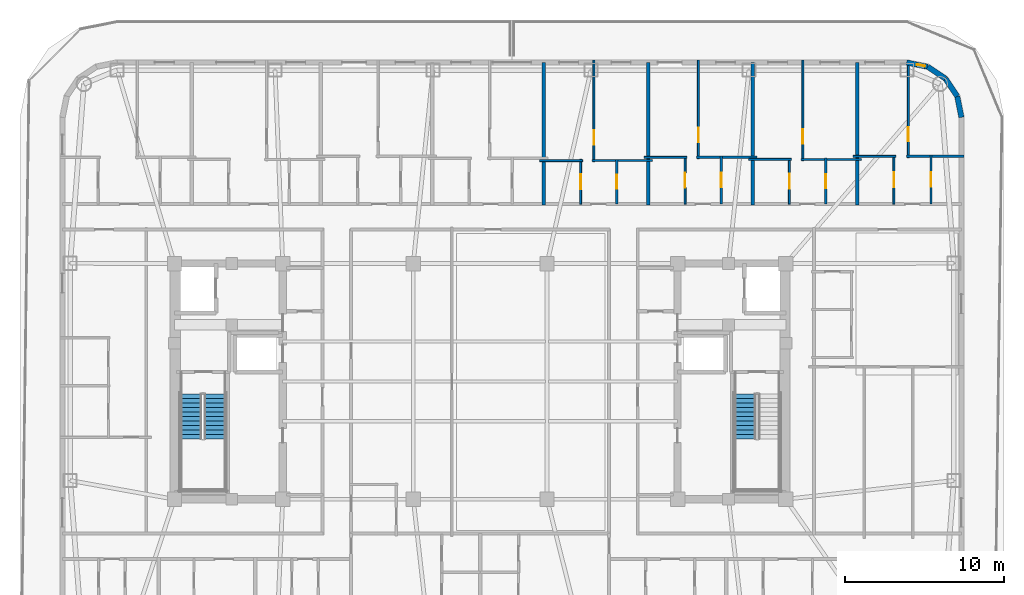
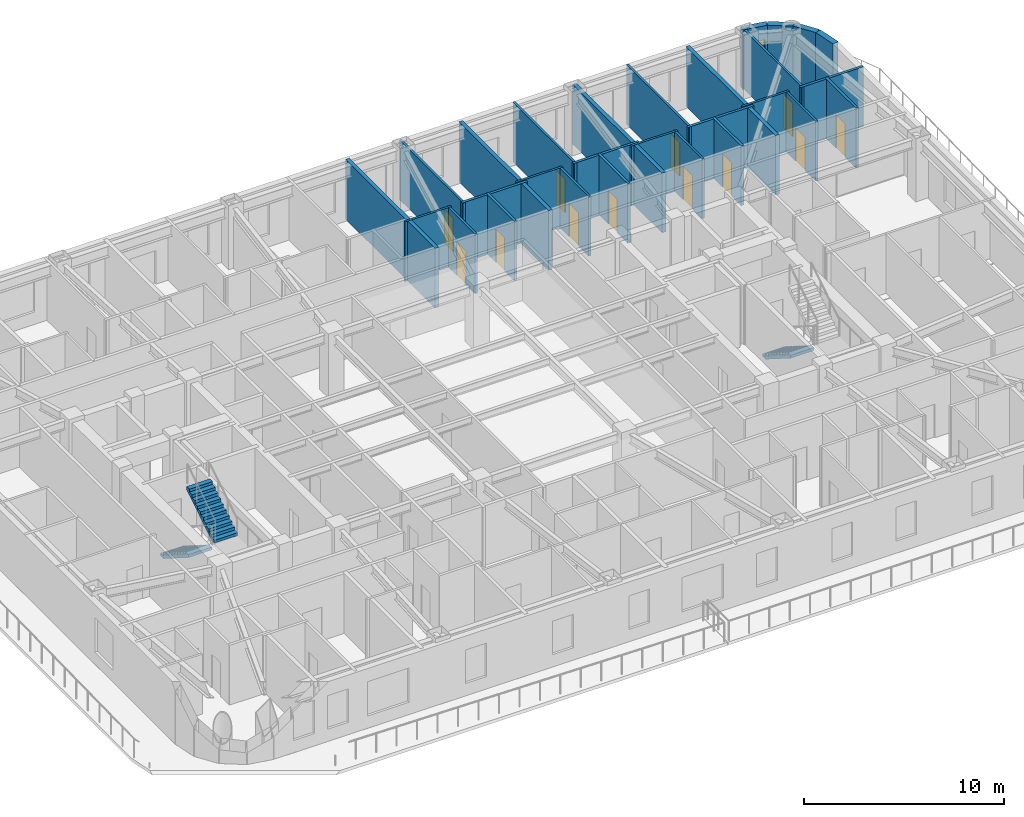
# One storey, part 9 of 15: 28 walls, 12 doors, 3 stair flights, 1 window, 13 openings, 2 elements without a shape of their own.
"""IFC4 building model written with IfcOpenShell, lengths in metres."""

from ifc_helpers import new_model, si_unit, direction, frame, frame_2d, origin, place, context, subcontext, project, spatial, polyline, rectangle, outline, extrude, material, layer, layer_set, type_object, element, fill, aggregate, save


model = new_model("IFC4")

# Units and contexts
model_context = context("Model", 3, precision=1e-05, world=origin(), true_north=direction((0.0, 1.0)))
body_context = subcontext(model_context, "Body", "Model", "MODEL_VIEW")
ifc_project = project(units=[si_unit("LENGTHUNIT", "METRE"), si_unit("AREAUNIT", "SQUARE_METRE"), si_unit("VOLUMEUNIT", "CUBIC_METRE"), si_unit("PLANEANGLEUNIT", "RADIAN"), si_unit("MASSUNIT", "GRAM", prefix="KILO")], contexts=[model_context])

# Site, building, storey
site_placement = place(None, origin())
site = spatial("IfcSite", under=ifc_project, at=site_placement, CompositionType="ELEMENT")
building_placement = place(site_placement, origin())
building = spatial("IfcBuilding", under=site, at=building_placement, Name="Voryun Gate Residences", CompositionType="ELEMENT")
storey_placement = place(building_placement, frame((0.0, 0.0, 231.39990234375)))
storey = spatial("IfcBuildingStorey", under=building, at=storey_placement, Name="L57", CompositionType="ELEMENT", Elevation=231.39990234375)

# Wall, opening, window
ifc_material_1 = material(Name="Charcoal terracotta masonry", Category="masonry")
ifc_layer_1 = layer(ifc_material_1, 0.340087890625, Name="W_EXT_TERRACOTTA_340")
ifc_layer_set_1 = layer_set([ifc_layer_1], Name="Charcoal terracotta masonry")
wall_type_1 = type_object("IfcWallType", Name="W_EXT_TERRACOTTA_340", PredefinedType="ELEMENTEDWALL", material=ifc_layer_set_1)
wall_1_placement = place(storey_placement, frame((26.783203125, 20.030029296875, 0.0), z_axis=(0.0, 0.0, 1.0), x_axis=(0.980788153188, -0.195075878998, 0.0)))
wall_1 = element("IfcWall", 1, at=wall_1_placement, inside=storey, type_object=wall_type_1, Name="Exterior wall WEXT-L57-12", PredefinedType="ELEMENTEDWALL", context=body_context, shape_type="SweptSolid", body=[
    extrude(rectangle(XDim=1.354248046875, YDim=0.340087890625, at=frame_2d((0.67724609375, 0.0))), origin(), (0.0, 0.0, 1.0), 3.650146484375),
])
opening_1_placement = place(wall_1_placement, frame((0.656982421875, 0.0, 0.75)))
opening_1 = element("IfcOpeningElement", 2, at=opening_1_placement, cuts=wall_1, Name="Opening WN10", PredefinedType="OPENING", context=body_context, shape_type="SweptSolid", body=[
    extrude(rectangle(XDim=0.52001953125, YDim=2.050048828125, at=frame_2d((0.260009765625, 1.02490234375))), frame((0.0, 0.179931640625, 0.0), z_axis=(0.0, -1.0, 0.0), x_axis=(1.0, 0.0, 0.0)), (0.0, 0.0, 1.0), 0.360107421875),
])
ifc_material_2 = material(Name="Laminated low-E glass", Category="glass")
window_type = type_object("IfcWindowType", Name="WN_PAGODA_LANCET_520", PartitioningType="SINGLE_PANEL", PredefinedType="WINDOW", material=ifc_material_2)
window_placement = place(opening_1_placement, origin())
window = element("IfcWindow", 3, at=window_placement, inside=storey, type_object=window_type, Name="Window WN-L57-DWFIX-12", OverallHeight=2.050048828125, OverallWidth=0.52001953125, PartitioningType="SINGLE_PANEL", PredefinedType="WINDOW", context=body_context, shape_type="SweptSolid", body=[
    extrude(rectangle(XDim=0.52001953125, YDim=2.050048828125, at=frame_2d((0.260009765625, 1.02490234375))), frame((0.0, 0.030029296875, 0.0), z_axis=(0.0, -1.0, 0.0), x_axis=(1.0, 0.0, 0.0)), (0.0, 0.0, 1.0), 0.06005859375),
])
fill(opening_1, window)

# Walls
for number, where, z_axis, x_axis, name in (
    (4, (28.111328125, 19.765869140625, 0.0), (0.0, 0.0, 1.0), (0.831403586725, -0.555669034571, 0.0), "Exterior wall WEXT-L57-13"),
    (5, (29.222900390625, 19.02294921875, 0.0), (0.0, 0.0, 1.0), (0.555669034571, -0.831403586725, 0.0), "Exterior wall WEXT-L57-14"),
):
    element("IfcWall", number, at=place(storey_placement, frame(where, z_axis=z_axis, x_axis=x_axis)), inside=storey, type_object=wall_type_1, Name=name, PredefinedType="ELEMENTEDWALL", context=body_context, shape_type="SweptSolid", body=[
        extrude(rectangle(XDim=1.3369140625, YDim=0.340087890625, at=frame_2d((0.66845703125, 0.0))), origin(), (0.0, 0.0, 1.0), 3.650146484375),
    ])
wall_2_placement = place(storey_placement, frame((29.9658203125, 17.911376953125, 0.0), z_axis=(0.0, 0.0, 1.0), x_axis=(0.195075878998, -0.980788153188, 0.0)))
element("IfcWall", 6, at=wall_2_placement, inside=storey, type_object=wall_type_1, Name="Exterior wall WEXT-L57-15", PredefinedType="ELEMENTEDWALL", context=body_context, shape_type="SweptSolid", body=[
    extrude(rectangle(XDim=1.354248046875, YDim=0.340087890625, at=frame_2d((0.67724609375, 0.0))), origin(), (0.0, 0.0, 1.0), 3.650146484375),
])
ifc_material_3 = material(Name="Concrete C40/50", Category="concrete")
ifc_layer_2 = layer(ifc_material_3, 0.219970703125, Name="W_PARTY_ACOUSTIC_220")
ifc_layer_set_2 = layer_set([ifc_layer_2], Name="Concrete C40/50")
wall_type_2 = type_object("IfcWallType", Name="W_PARTY_ACOUSTIC_220", PredefinedType="PARTITIONING", material=ifc_layer_set_2)
for number, where, z_axis, x_axis, name in (
    (7, (4.0, 11.070068359375, 0.0), (0.0, 0.0, 1.0), (0.0, 1.0, 0.0), "Partition wall WP-L57-NPTY-4"),
    (8, (10.55908203125, 11.070068359375, 0.0), (0.0, 0.0, 1.0), (0.0, 1.0, 0.0), "Partition wall WP-L57-NPTY-5"),
    (9, (17.117919921875, 11.070068359375, 0.0), (0.0, 0.0, 1.0), (0.0, 1.0, 0.0), "Partition wall WP-L57-NPTY-6"),
    (10, (23.677978515625, 11.070068359375, 0.0), (0.0, 0.0, 1.0), (0.0, 1.0, 0.0), "Partition wall WP-L57-NPTY-7"),
):
    element("IfcWall", number, at=place(storey_placement, frame(where, z_axis=z_axis, x_axis=x_axis)), inside=storey, type_object=wall_type_2, Name=name, PredefinedType="PARTITIONING", context=body_context, shape_type="SweptSolid", body=[
        extrude(rectangle(XDim=8.9599609375, YDim=0.219970703125, at=frame_2d((4.47998046875, 0.0))), origin(), (0.0, 0.0, 1.0), 3.650146484375),
    ])

# Wall, opening, door
ifc_material_4 = material(Name="Gypsum acoustic partition")
ifc_layer_3 = layer(ifc_material_4, 0.125, Name="W_UNIT_PART_125")
ifc_layer_set_3 = layer_set([ifc_layer_3], Name="Gypsum acoustic partition")
wall_type_3 = type_object("IfcWallType", Name="W_UNIT_PART_125", PredefinedType="PARTITIONING", material=ifc_layer_set_3)
wall_3_placement = place(storey_placement, frame((7.14892578125, 13.7939453125, 0.0), z_axis=(0.0, 0.0, 1.0), x_axis=(0.0, 1.0, 0.0)))
wall_3 = element("IfcWall", 11, at=wall_3_placement, inside=storey, type_object=wall_type_3, Name="Partition wall WP-L57-N5-OVR", PredefinedType="PARTITIONING", context=body_context, shape_type="SweptSolid", body=[
    extrude(rectangle(XDim=6.385986328125, YDim=0.125, at=frame_2d((3.19287109375, 0.0))), origin(), (0.0, 0.0, 1.0), 3.650146484375),
])
opening_2_placement = place(wall_3_placement, frame((1.08251953125, 0.0, 0.0)))
opening_2 = element("IfcOpeningElement", 12, at=opening_2_placement, cuts=wall_3, Name="Opening D-INT-2", PredefinedType="OPENING", context=body_context, shape_type="SweptSolid", body=[
    extrude(rectangle(XDim=0.89990234375, YDim=2.050048828125, at=frame_2d((0.449951171875, 1.02490234375))), frame((0.0, 0.072509765625, 0.0), z_axis=(0.0, -1.0, 0.0), x_axis=(1.0, 0.0, 0.0)), (0.0, 0.0, 1.0), 0.14501953125),
])
ifc_material_5 = material(Name="Architectural oak veneer")
door_type_1 = type_object("IfcDoorType", Name="DR_INT_BATH_900", OperationType="NOTDEFINED", PredefinedType="DOOR", material=ifc_material_5)
door_1_placement = place(opening_2_placement, origin())
door_1 = element("IfcDoor", 13, at=door_1_placement, inside=storey, type_object=door_type_1, Name="Door DR-L57-N5-DMB", OperationType="SINGLE_SWING_RIGHT", OverallHeight=2.050048828125, OverallWidth=0.89990234375, PredefinedType="DOOR", context=body_context, shape_type="SweptSolid", body=[
    extrude(rectangle(XDim=0.89990234375, YDim=2.050048828125, at=frame_2d((0.449951171875, 1.02490234375))), frame((0.0, 0.02490234375, 0.0), z_axis=(0.0, -1.0, 0.0), x_axis=(1.0, 0.0, 0.0)), (0.0, 0.0, 1.0), 0.050048828125),
])
fill(opening_2, door_1)

wall_4_placement = place(storey_placement, frame((6.31005859375, 11.1298828125, 0.0), z_axis=(0.0, 0.0, 1.0), x_axis=(0.0, 1.0, 0.0)))
wall_4 = element("IfcWall", 14, at=wall_4_placement, inside=storey, type_object=wall_type_3, Name="Partition wall WP-L57-N5-IVK", PredefinedType="PARTITIONING", context=body_context, shape_type="SweptSolid", body=[
    extrude(rectangle(XDim=2.82421875, YDim=0.125, at=frame_2d((1.412109375, 0.0))), origin(), (0.0, 0.0, 1.0), 3.650146484375),
])
opening_3_placement = place(wall_4_placement, frame((0.93701171875, 0.0, 0.0)))
opening_3 = element("IfcOpeningElement", 15, at=opening_3_placement, cuts=wall_4, Name="Opening D-INT-1", PredefinedType="OPENING", context=body_context, shape_type="SweptSolid", body=[
    extrude(rectangle(XDim=0.949951171875, YDim=2.050048828125, at=frame_2d((0.47509765625, 1.02490234375))), frame((0.0, 0.072509765625, 0.0), z_axis=(0.0, -1.0, 0.0), x_axis=(1.0, 0.0, 0.0)), (0.0, 0.0, 1.0), 0.14501953125),
])
ifc_material_6 = material(Name="Architectural oak veneer")
door_type_2 = type_object("IfcDoorType", Name="DR_INT_ROOM_950", OperationType="NOTDEFINED", PredefinedType="DOOR", material=ifc_material_6)
door_2_placement = place(opening_3_placement, origin())
door_2 = element("IfcDoor", 16, at=door_2_placement, inside=storey, type_object=door_type_2, Name="Door DR-L57-N5-DK", OperationType="SINGLE_SWING_LEFT", OverallHeight=2.050048828125, OverallWidth=0.949951171875, PredefinedType="DOOR", context=body_context, shape_type="SweptSolid", body=[
    extrude(rectangle(XDim=0.949951171875, YDim=2.050048828125, at=frame_2d((0.47509765625, 1.02490234375))), frame((0.0, 0.02490234375, 0.0), z_axis=(0.0, -1.0, 0.0), x_axis=(1.0, 0.0, 0.0)), (0.0, 0.0, 1.0), 0.050048828125),
])
fill(opening_3, door_2)

# Wall
wall_5_placement = place(storey_placement, frame((3.739990234375, 13.8740234375, 0.0), z_axis=(0.0, 0.0, 1.0), x_axis=(1.0, 0.0, 0.0)))
element("IfcWall", 17, at=wall_5_placement, inside=storey, type_object=wall_type_3, Name="Partition wall WP-L57-N5-HZK", PredefinedType="PARTITIONING", context=body_context, shape_type="SweptSolid", body=[
    extrude(rectangle(XDim=2.68994140625, YDim=0.125, at=frame_2d((1.344970703125, 0.0))), origin(), (0.0, 0.0, 1.0), 3.650146484375),
])

# Wall, opening, door
wall_6_placement = place(storey_placement, frame((13.7080078125, 13.993896484375, 0.0), z_axis=(0.0, 0.0, 1.0), x_axis=(0.0, 1.0, 0.0)))
wall_6 = element("IfcWall", 18, at=wall_6_placement, inside=storey, type_object=wall_type_3, Name="Partition wall WP-L57-N6-OVR", PredefinedType="PARTITIONING", context=body_context, shape_type="SweptSolid", body=[
    extrude(rectangle(XDim=6.18603515625, YDim=0.125, at=frame_2d((3.093017578125, 0.0))), origin(), (0.0, 0.0, 1.0), 3.650146484375),
])
opening_4_placement = place(wall_6_placement, frame((1.03466796875, 0.0, 0.0)))
opening_4 = element("IfcOpeningElement", 19, at=opening_4_placement, cuts=wall_6, Name="Opening D-INT-2", PredefinedType="OPENING", context=body_context, shape_type="SweptSolid", body=[
    extrude(rectangle(XDim=0.89990234375, YDim=2.050048828125, at=frame_2d((0.449951171875, 1.02490234375))), frame((0.0, 0.072509765625, 0.0), z_axis=(0.0, -1.0, 0.0), x_axis=(1.0, 0.0, 0.0)), (0.0, 0.0, 1.0), 0.14501953125),
])
door_3_placement = place(opening_4_placement, origin())
door_3 = element("IfcDoor", 20, at=door_3_placement, inside=storey, type_object=door_type_1, Name="Door DR-L57-N6-DMB", OperationType="SINGLE_SWING_RIGHT", OverallHeight=2.050048828125, OverallWidth=0.89990234375, PredefinedType="DOOR", context=body_context, shape_type="SweptSolid", body=[
    extrude(rectangle(XDim=0.89990234375, YDim=2.050048828125, at=frame_2d((0.449951171875, 1.02490234375))), frame((0.0, 0.02490234375, 0.0), z_axis=(0.0, -1.0, 0.0), x_axis=(1.0, 0.0, 0.0)), (0.0, 0.0, 1.0), 0.050048828125),
])
fill(opening_4, door_3)

wall_7_placement = place(storey_placement, frame((12.868896484375, 11.1298828125, 0.0), z_axis=(0.0, 0.0, 1.0), x_axis=(0.0, 1.0, 0.0)))
wall_7 = element("IfcWall", 21, at=wall_7_placement, inside=storey, type_object=wall_type_3, Name="Partition wall WP-L57-N6-IVK", PredefinedType="PARTITIONING", context=body_context, shape_type="SweptSolid", body=[
    extrude(rectangle(XDim=3.024169921875, YDim=0.125, at=frame_2d((1.51220703125, 0.0))), origin(), (0.0, 0.0, 1.0), 3.650146484375),
])
opening_5_placement = place(wall_7_placement, frame((1.037109375, 0.0, 0.0)))
opening_5 = element("IfcOpeningElement", 22, at=opening_5_placement, cuts=wall_7, Name="Opening D-INT-1", PredefinedType="OPENING", context=body_context, shape_type="SweptSolid", body=[
    extrude(rectangle(XDim=0.949951171875, YDim=2.050048828125, at=frame_2d((0.47509765625, 1.02490234375))), frame((0.0, 0.072509765625, 0.0), z_axis=(0.0, -1.0, 0.0), x_axis=(1.0, 0.0, 0.0)), (0.0, 0.0, 1.0), 0.14501953125),
])
door_4_placement = place(opening_5_placement, origin())
door_4 = element("IfcDoor", 23, at=door_4_placement, inside=storey, type_object=door_type_2, Name="Door DR-L57-N6-DK", OperationType="SINGLE_SWING_LEFT", OverallHeight=2.050048828125, OverallWidth=0.949951171875, PredefinedType="DOOR", context=body_context, shape_type="SweptSolid", body=[
    extrude(rectangle(XDim=0.949951171875, YDim=2.050048828125, at=frame_2d((0.47509765625, 1.02490234375))), frame((0.0, 0.02490234375, 0.0), z_axis=(0.0, -1.0, 0.0), x_axis=(1.0, 0.0, 0.0)), (0.0, 0.0, 1.0), 0.050048828125),
])
fill(opening_5, door_4)

# Wall
wall_8_placement = place(storey_placement, frame((10.299072265625, 14.073974609375, 0.0), z_axis=(0.0, 0.0, 1.0), x_axis=(1.0, 0.0, 0.0)))
element("IfcWall", 24, at=wall_8_placement, inside=storey, type_object=wall_type_3, Name="Partition wall WP-L57-N6-HZK", PredefinedType="PARTITIONING", context=body_context, shape_type="SweptSolid", body=[
    extrude(rectangle(XDim=2.68994140625, YDim=0.125, at=frame_2d((1.344970703125, 0.0))), origin(), (0.0, 0.0, 1.0), 3.650146484375),
])

# Wall, opening, door
wall_9_placement = place(storey_placement, frame((20.26806640625, 13.861083984375, 0.0), z_axis=(0.0, 0.0, 1.0), x_axis=(0.0, 1.0, 0.0)))
wall_9 = element("IfcWall", 25, at=wall_9_placement, inside=storey, type_object=wall_type_3, Name="Partition wall WP-L57-N7-OVR", PredefinedType="PARTITIONING", context=body_context, shape_type="SweptSolid", body=[
    extrude(rectangle(XDim=6.31884765625, YDim=0.125, at=frame_2d((3.159423828125, 0.0))), origin(), (0.0, 0.0, 1.0), 3.650146484375),
])
opening_6_placement = place(wall_9_placement, frame((1.066650390625, 0.0, 0.0)))
opening_6 = element("IfcOpeningElement", 26, at=opening_6_placement, cuts=wall_9, Name="Opening D-INT-2", PredefinedType="OPENING", context=body_context, shape_type="SweptSolid", body=[
    extrude(rectangle(XDim=0.89990234375, YDim=2.050048828125, at=frame_2d((0.449951171875, 1.02490234375))), frame((0.0, 0.072509765625, 0.0), z_axis=(0.0, -1.0, 0.0), x_axis=(1.0, 0.0, 0.0)), (0.0, 0.0, 1.0), 0.14501953125),
])
door_5_placement = place(opening_6_placement, origin())
door_5 = element("IfcDoor", 27, at=door_5_placement, inside=storey, type_object=door_type_1, Name="Door DR-L57-N7-DMB", OperationType="SINGLE_SWING_RIGHT", OverallHeight=2.050048828125, OverallWidth=0.89990234375, PredefinedType="DOOR", context=body_context, shape_type="SweptSolid", body=[
    extrude(rectangle(XDim=0.89990234375, YDim=2.050048828125, at=frame_2d((0.449951171875, 1.02490234375))), frame((0.0, 0.02490234375, 0.0), z_axis=(0.0, -1.0, 0.0), x_axis=(1.0, 0.0, 0.0)), (0.0, 0.0, 1.0), 0.050048828125),
])
fill(opening_6, door_5)

wall_10_placement = place(storey_placement, frame((19.427978515625, 11.1298828125, 0.0), z_axis=(0.0, 0.0, 1.0), x_axis=(0.0, 1.0, 0.0)))
wall_10 = element("IfcWall", 28, at=wall_10_placement, inside=storey, type_object=wall_type_3, Name="Partition wall WP-L57-N7-IVK", PredefinedType="PARTITIONING", context=body_context, shape_type="SweptSolid", body=[
    extrude(rectangle(XDim=2.89111328125, YDim=0.125, at=frame_2d((1.445556640625, 0.0))), origin(), (0.0, 0.0, 1.0), 3.650146484375),
])
opening_7_placement = place(wall_10_placement, frame((0.970458984375, 0.0, 0.0)))
opening_7 = element("IfcOpeningElement", 29, at=opening_7_placement, cuts=wall_10, Name="Opening D-INT-1", PredefinedType="OPENING", context=body_context, shape_type="SweptSolid", body=[
    extrude(rectangle(XDim=0.949951171875, YDim=2.050048828125, at=frame_2d((0.47509765625, 1.02490234375))), frame((0.0, 0.072509765625, 0.0), z_axis=(0.0, -1.0, 0.0), x_axis=(1.0, 0.0, 0.0)), (0.0, 0.0, 1.0), 0.14501953125),
])
door_6_placement = place(opening_7_placement, origin())
door_6 = element("IfcDoor", 30, at=door_6_placement, inside=storey, type_object=door_type_2, Name="Door DR-L57-N7-DK", OperationType="SINGLE_SWING_LEFT", OverallHeight=2.050048828125, OverallWidth=0.949951171875, PredefinedType="DOOR", context=body_context, shape_type="SweptSolid", body=[
    extrude(rectangle(XDim=0.949951171875, YDim=2.050048828125, at=frame_2d((0.47509765625, 1.02490234375))), frame((0.0, 0.02490234375, 0.0), z_axis=(0.0, -1.0, 0.0), x_axis=(1.0, 0.0, 0.0)), (0.0, 0.0, 1.0), 0.050048828125),
])
fill(opening_7, door_6)

# Wall
wall_11_placement = place(storey_placement, frame((16.85791015625, 13.94091796875, 0.0), z_axis=(0.0, 0.0, 1.0), x_axis=(1.0, 0.0, 0.0)))
element("IfcWall", 31, at=wall_11_placement, inside=storey, type_object=wall_type_3, Name="Partition wall WP-L57-N7-HZK", PredefinedType="PARTITIONING", context=body_context, shape_type="SweptSolid", body=[
    extrude(rectangle(XDim=2.690185546875, YDim=0.125, at=frame_2d((1.34521484375, 0.0))), origin(), (0.0, 0.0, 1.0), 3.650146484375),
])

# Wall, opening, door
wall_12_placement = place(storey_placement, frame((26.886962890625, 14.06005859375, 0.0), z_axis=(0.0, 0.0, 1.0), x_axis=(0.0, 1.0, 0.0)))
wall_12 = element("IfcWall", 32, at=wall_12_placement, inside=storey, type_object=wall_type_3, Name="Partition wall WP-L57-N8-OVR", PredefinedType="PARTITIONING", context=body_context, shape_type="SweptSolid", body=[
    extrude(rectangle(XDim=6.102294921875, YDim=0.125, at=frame_2d((3.05126953125, 0.0))), origin(), (0.0, 0.0, 1.0), 3.650146484375),
])
opening_8_placement = place(wall_12_placement, frame((1.0146484375, 0.0, 0.0)))
opening_8 = element("IfcOpeningElement", 33, at=opening_8_placement, cuts=wall_12, Name="Opening D-INT-2", PredefinedType="OPENING", context=body_context, shape_type="SweptSolid", body=[
    extrude(rectangle(XDim=0.89990234375, YDim=2.050048828125, at=frame_2d((0.449951171875, 1.02490234375))), frame((0.0, 0.072509765625, 0.0), z_axis=(0.0, -1.0, 0.0), x_axis=(1.0, 0.0, 0.0)), (0.0, 0.0, 1.0), 0.14501953125),
])
door_7_placement = place(opening_8_placement, origin())
door_7 = element("IfcDoor", 34, at=door_7_placement, inside=storey, type_object=door_type_1, Name="Door DR-L57-N8-DMB", OperationType="SINGLE_SWING_RIGHT", OverallHeight=2.050048828125, OverallWidth=0.89990234375, PredefinedType="DOOR", context=body_context, shape_type="SweptSolid", body=[
    extrude(rectangle(XDim=0.89990234375, YDim=2.050048828125, at=frame_2d((0.449951171875, 1.02490234375))), frame((0.0, 0.02490234375, 0.0), z_axis=(0.0, -1.0, 0.0), x_axis=(1.0, 0.0, 0.0)), (0.0, 0.0, 1.0), 0.050048828125),
])
fill(opening_8, door_7)

wall_13_placement = place(storey_placement, frame((25.988037109375, 11.1298828125, 0.0), z_axis=(0.0, 0.0, 1.0), x_axis=(0.0, 1.0, 0.0)))
wall_13 = element("IfcWall", 35, at=wall_13_placement, inside=storey, type_object=wall_type_3, Name="Partition wall WP-L57-N8-IVK", PredefinedType="PARTITIONING", context=body_context, shape_type="SweptSolid", body=[
    extrude(rectangle(XDim=3.090087890625, YDim=0.125, at=frame_2d((1.544921875, 0.0))), origin(), (0.0, 0.0, 1.0), 3.650146484375),
])
opening_9_placement = place(wall_13_placement, frame((1.070068359375, 0.0, 0.0)))
opening_9 = element("IfcOpeningElement", 36, at=opening_9_placement, cuts=wall_13, Name="Opening D-INT-1", PredefinedType="OPENING", context=body_context, shape_type="SweptSolid", body=[
    extrude(rectangle(XDim=0.949951171875, YDim=2.050048828125, at=frame_2d((0.47509765625, 1.02490234375))), frame((0.0, 0.072509765625, 0.0), z_axis=(0.0, -1.0, 0.0), x_axis=(1.0, 0.0, 0.0)), (0.0, 0.0, 1.0), 0.14501953125),
])
door_8_placement = place(opening_9_placement, origin())
door_8 = element("IfcDoor", 37, at=door_8_placement, inside=storey, type_object=door_type_2, Name="Door DR-L57-N8-DK", OperationType="SINGLE_SWING_LEFT", OverallHeight=2.050048828125, OverallWidth=0.949951171875, PredefinedType="DOOR", context=body_context, shape_type="SweptSolid", body=[
    extrude(rectangle(XDim=0.949951171875, YDim=2.050048828125, at=frame_2d((0.47509765625, 1.02490234375))), frame((0.0, 0.02490234375, 0.0), z_axis=(0.0, -1.0, 0.0), x_axis=(1.0, 0.0, 0.0)), (0.0, 0.0, 1.0), 0.050048828125),
])
fill(opening_9, door_8)

# Walls
wall_14_placement = place(storey_placement, frame((23.41796875, 14.139892578125, 0.0), z_axis=(0.0, 0.0, 1.0), x_axis=(1.0, 0.0, 0.0)))
element("IfcWall", 38, at=wall_14_placement, inside=storey, type_object=wall_type_3, Name="Partition wall WP-L57-N8-HZK", PredefinedType="PARTITIONING", context=body_context, shape_type="SweptSolid", body=[
    extrude(rectangle(XDim=2.68994140625, YDim=0.125, at=frame_2d((1.344970703125, 0.0))), origin(), (0.0, 0.0, 1.0), 3.650146484375),
])
ifc_material_7 = material(Name="Gypsum moisture-resistant partition")
ifc_layer_4 = layer(ifc_material_7, 0.14990234375, Name="W_WET_PLUMB_150")
ifc_layer_set_4 = layer_set([ifc_layer_4], Name="Gypsum moisture-resistant partition")
wall_type_4 = type_object("IfcWallType", Name="W_WET_PLUMB_150", PredefinedType="PLUMBINGWALL", material=ifc_layer_set_4)
wall_15_placement = place(storey_placement, frame((7.029052734375, 13.8740234375, 0.0), z_axis=(0.0, 0.0, 1.0), x_axis=(1.0, 0.0, 0.0)))
element("IfcWall", 39, at=wall_15_placement, inside=storey, type_object=wall_type_4, Name="Partition wall WP-L57-N5-HZB", PredefinedType="PLUMBINGWALL", context=body_context, shape_type="SweptSolid", body=[
    extrude(rectangle(XDim=3.7900390625, YDim=0.14990234375, at=frame_2d((1.89501953125, 0.0))), origin(), (0.0, 0.0, 1.0), 3.650146484375),
])

# Wall, opening, door
wall_16_placement = place(storey_placement, frame((8.5791015625, 11.1298828125, 0.0), z_axis=(0.0, 0.0, 1.0), x_axis=(0.0, 1.0, 0.0)))
wall_16 = element("IfcWall", 40, at=wall_16_placement, inside=storey, type_object=wall_type_4, Name="Partition wall WP-L57-N5-IVB", PredefinedType="PLUMBINGWALL", context=body_context, shape_type="SweptSolid", body=[
    extrude(rectangle(XDim=2.82421875, YDim=0.14990234375, at=frame_2d((1.412109375, 0.0))), origin(), (0.0, 0.0, 1.0), 3.650146484375),
])
opening_10_placement = place(wall_16_placement, frame((0.9619140625, 0.0, 0.0)))
opening_10 = element("IfcOpeningElement", 41, at=opening_10_placement, cuts=wall_16, Name="Opening D-INT-2", PredefinedType="OPENING", context=body_context, shape_type="SweptSolid", body=[
    extrude(rectangle(XDim=0.89990234375, YDim=2.050048828125, at=frame_2d((0.449951171875, 1.02490234375))), frame((0.0, 0.0849609375, 0.0), z_axis=(0.0, -1.0, 0.0), x_axis=(1.0, 0.0, 0.0)), (0.0, 0.0, 1.0), 0.169921875),
])
door_9_placement = place(opening_10_placement, origin())
door_9 = element("IfcDoor", 42, at=door_9_placement, inside=storey, type_object=door_type_1, Name="Door DR-L57-N5-DB", OperationType="SINGLE_SWING_RIGHT", OverallHeight=2.050048828125, OverallWidth=0.89990234375, PredefinedType="DOOR", context=body_context, shape_type="SweptSolid", body=[
    extrude(rectangle(XDim=0.89990234375, YDim=2.050048828125, at=frame_2d((0.449951171875, 1.02490234375))), frame((0.0, 0.02490234375, 0.0), z_axis=(0.0, -1.0, 0.0), x_axis=(1.0, 0.0, 0.0)), (0.0, 0.0, 1.0), 0.050048828125),
])
fill(opening_10, door_9)

# Wall
wall_17_placement = place(storey_placement, frame((13.587890625, 14.073974609375, 0.0), z_axis=(0.0, 0.0, 1.0), x_axis=(1.0, 0.0, 0.0)))
element("IfcWall", 43, at=wall_17_placement, inside=storey, type_object=wall_type_4, Name="Partition wall WP-L57-N6-HZB", PredefinedType="PLUMBINGWALL", context=body_context, shape_type="SweptSolid", body=[
    extrude(rectangle(XDim=3.7900390625, YDim=0.14990234375, at=frame_2d((1.89501953125, 0.0))), origin(), (0.0, 0.0, 1.0), 3.650146484375),
])

# Wall, opening, door
wall_18_placement = place(storey_placement, frame((15.137939453125, 11.1298828125, 0.0), z_axis=(0.0, 0.0, 1.0), x_axis=(0.0, 1.0, 0.0)))
wall_18 = element("IfcWall", 44, at=wall_18_placement, inside=storey, type_object=wall_type_4, Name="Partition wall WP-L57-N6-IVB", PredefinedType="PLUMBINGWALL", context=body_context, shape_type="SweptSolid", body=[
    extrude(rectangle(XDim=3.024169921875, YDim=0.14990234375, at=frame_2d((1.51220703125, 0.0))), origin(), (0.0, 0.0, 1.0), 3.650146484375),
])
opening_11_placement = place(wall_18_placement, frame((1.06201171875, 0.0, 0.0)))
opening_11 = element("IfcOpeningElement", 45, at=opening_11_placement, cuts=wall_18, Name="Opening D-INT-2", PredefinedType="OPENING", context=body_context, shape_type="SweptSolid", body=[
    extrude(rectangle(XDim=0.89990234375, YDim=2.050048828125, at=frame_2d((0.449951171875, 1.02490234375))), frame((0.0, 0.0849609375, 0.0), z_axis=(0.0, -1.0, 0.0), x_axis=(1.0, 0.0, 0.0)), (0.0, 0.0, 1.0), 0.169921875),
])
door_10_placement = place(opening_11_placement, origin())
door_10 = element("IfcDoor", 46, at=door_10_placement, inside=storey, type_object=door_type_1, Name="Door DR-L57-N6-DB", OperationType="SINGLE_SWING_RIGHT", OverallHeight=2.050048828125, OverallWidth=0.89990234375, PredefinedType="DOOR", context=body_context, shape_type="SweptSolid", body=[
    extrude(rectangle(XDim=0.89990234375, YDim=2.050048828125, at=frame_2d((0.449951171875, 1.02490234375))), frame((0.0, 0.02490234375, 0.0), z_axis=(0.0, -1.0, 0.0), x_axis=(1.0, 0.0, 0.0)), (0.0, 0.0, 1.0), 0.050048828125),
])
fill(opening_11, door_10)

# Wall
wall_19_placement = place(storey_placement, frame((20.14794921875, 13.94091796875, 0.0), z_axis=(0.0, 0.0, 1.0), x_axis=(1.0, 0.0, 0.0)))
element("IfcWall", 47, at=wall_19_placement, inside=storey, type_object=wall_type_4, Name="Partition wall WP-L57-N7-HZB", PredefinedType="PLUMBINGWALL", context=body_context, shape_type="SweptSolid", body=[
    extrude(rectangle(XDim=3.7900390625, YDim=0.14990234375, at=frame_2d((1.89501953125, 0.0))), origin(), (0.0, 0.0, 1.0), 3.650146484375),
])

# Wall, opening, door
wall_20_placement = place(storey_placement, frame((21.697998046875, 11.1298828125, 0.0), z_axis=(0.0, 0.0, 1.0), x_axis=(0.0, 1.0, 0.0)))
wall_20 = element("IfcWall", 48, at=wall_20_placement, inside=storey, type_object=wall_type_4, Name="Partition wall WP-L57-N7-IVB", PredefinedType="PLUMBINGWALL", context=body_context, shape_type="SweptSolid", body=[
    extrude(rectangle(XDim=2.89111328125, YDim=0.14990234375, at=frame_2d((1.445556640625, 0.0))), origin(), (0.0, 0.0, 1.0), 3.650146484375),
])
opening_12_placement = place(wall_20_placement, frame((0.99560546875, 0.0, 0.0)))
opening_12 = element("IfcOpeningElement", 49, at=opening_12_placement, cuts=wall_20, Name="Opening D-INT-2", PredefinedType="OPENING", context=body_context, shape_type="SweptSolid", body=[
    extrude(rectangle(XDim=0.89990234375, YDim=2.050048828125, at=frame_2d((0.449951171875, 1.02490234375))), frame((0.0, 0.0849609375, 0.0), z_axis=(0.0, -1.0, 0.0), x_axis=(1.0, 0.0, 0.0)), (0.0, 0.0, 1.0), 0.169921875),
])
door_11_placement = place(opening_12_placement, origin())
door_11 = element("IfcDoor", 50, at=door_11_placement, inside=storey, type_object=door_type_1, Name="Door DR-L57-N7-DB", OperationType="SINGLE_SWING_RIGHT", OverallHeight=2.050048828125, OverallWidth=0.89990234375, PredefinedType="DOOR", context=body_context, shape_type="SweptSolid", body=[
    extrude(rectangle(XDim=0.89990234375, YDim=2.050048828125, at=frame_2d((0.449951171875, 1.02490234375))), frame((0.0, 0.02490234375, 0.0), z_axis=(0.0, -1.0, 0.0), x_axis=(1.0, 0.0, 0.0)), (0.0, 0.0, 1.0), 0.050048828125),
])
fill(opening_12, door_11)

# Wall
wall_21_placement = place(storey_placement, frame((26.76708984375, 14.139892578125, 0.0), z_axis=(0.0, 0.0, 1.0), x_axis=(1.0, 0.0, 0.0)))
element("IfcWall", 51, at=wall_21_placement, inside=storey, type_object=wall_type_4, Name="Partition wall WP-L57-N8-HZB", PredefinedType="PLUMBINGWALL", context=body_context, shape_type="SweptSolid", body=[
    extrude(rectangle(XDim=3.61279296875, YDim=0.14990234375, at=frame_2d((1.806396484375, 0.0))), origin(), (0.0, 0.0, 1.0), 3.650146484375),
])

# Wall, opening, door
wall_22_placement = place(storey_placement, frame((28.31689453125, 11.1298828125, 0.0), z_axis=(0.0, 0.0, 1.0), x_axis=(0.0, 1.0, 0.0)))
wall_22 = element("IfcWall", 52, at=wall_22_placement, inside=storey, type_object=wall_type_4, Name="Partition wall WP-L57-N8-IVB", PredefinedType="PLUMBINGWALL", context=body_context, shape_type="SweptSolid", body=[
    extrude(rectangle(XDim=3.090087890625, YDim=0.14990234375, at=frame_2d((1.544921875, 0.0))), origin(), (0.0, 0.0, 1.0), 3.650146484375),
])
opening_13_placement = place(wall_22_placement, frame((1.094970703125, 0.0, 0.0)))
opening_13 = element("IfcOpeningElement", 53, at=opening_13_placement, cuts=wall_22, Name="Opening D-INT-2", PredefinedType="OPENING", context=body_context, shape_type="SweptSolid", body=[
    extrude(rectangle(XDim=0.89990234375, YDim=2.050048828125, at=frame_2d((0.449951171875, 1.02490234375))), frame((0.0, 0.0849609375, 0.0), z_axis=(0.0, -1.0, 0.0), x_axis=(1.0, 0.0, 0.0)), (0.0, 0.0, 1.0), 0.169921875),
])
door_12_placement = place(opening_13_placement, origin())
door_12 = element("IfcDoor", 54, at=door_12_placement, inside=storey, type_object=door_type_1, Name="Door DR-L57-N8-DB", OperationType="SINGLE_SWING_RIGHT", OverallHeight=2.050048828125, OverallWidth=0.89990234375, PredefinedType="DOOR", context=body_context, shape_type="SweptSolid", body=[
    extrude(rectangle(XDim=0.89990234375, YDim=2.050048828125, at=frame_2d((0.449951171875, 1.02490234375))), frame((0.0, 0.02490234375, 0.0), z_axis=(0.0, -1.0, 0.0), x_axis=(1.0, 0.0, 0.0)), (0.0, 0.0, 1.0), 0.050048828125),
])
fill(opening_13, door_12)

# Stair, stair flights
ifc_material_8 = material(Name="Concrete C40/50", Category="concrete")
stair_type = type_object("IfcStairType", Name="STR_CORE_DOGLEG_1350", PredefinedType="HALF_TURN_STAIR", material=ifc_material_8)
stair_1_placement = place(storey_placement, origin())
stair_1 = element("IfcStair", 55, at=stair_1_placement, inside=storey, type_object=stair_type, Name="L57 Special Escape Stair ST-W1", PredefinedType="HALF_TURN_STAIR")
ifc_material_9 = material(Name="Concrete C40/50", Category="concrete")
stair_flight_type = type_object("IfcStairFlightType", Name="FLT_CORE_1350", PredefinedType="STRAIGHT", material=ifc_material_9)
stair_flight_1_placement = place(storey_placement, frame((-18.14990234375, -0.800048828125, 0.0), z_axis=(0.0, 0.0, 1.0), x_axis=(0.0, -1.0, 0.0)))
stair_flight_1 = element("IfcStairFlight", 56, at=stair_flight_1_placement, type_object=stair_flight_type, Name="ST-W1 flight 1", NumberOfRisers=11, NumberOfTreads=10, PredefinedType="STRAIGHT", RiserHeight=0.177272727, TreadLength=0.28, context=body_context, shape_type="SweptSolid", body=[
    extrude(outline(polyline([(0.0, 0.0), (0.0, 0.17724609375), (0.280029296875, 0.17724609375), (0.280029296875, 0.3544921875), (0.56005859375, 0.3544921875), (0.56005859375, 0.53173828125), (0.840087890625, 0.53173828125), (0.840087890625, 0.708984375), (1.1201171875, 0.708984375), (1.1201171875, 0.886474609375), (1.39990234375, 0.886474609375), (1.39990234375, 1.063720703125), (1.679931640625, 1.063720703125), (1.679931640625, 1.240966796875), (1.9599609375, 1.240966796875), (1.9599609375, 1.418212890625), (2.239990234375, 1.418212890625), (2.239990234375, 1.595458984375), (2.52001953125, 1.595458984375), (2.52001953125, 1.772705078125), (2.800048828125, 1.772705078125), (2.800048828125, 1.949951171875), (2.800048828125, 1.59521484375), (0.2802734375, 0.0), (0.0, 0.0)])), frame((0.0, 0.675048828125, 0.0), z_axis=(0.0, -1.0, 0.0), x_axis=(1.0, 0.0, 0.0)), (0.0, 0.0, 1.0), 1.35009765625),
])
stair_flight_2_placement = place(storey_placement, frame((-16.64990234375, -3.60009765625, 1.9501953125), z_axis=(0.0, 0.0, 1.0), x_axis=(0.0, 1.0, 0.0)))
stair_flight_2 = element("IfcStairFlight", 57, at=stair_flight_2_placement, type_object=stair_flight_type, Name="ST-W1 flight 2", NumberOfRisers=11, NumberOfTreads=10, PredefinedType="STRAIGHT", RiserHeight=0.177272727, TreadLength=0.28, context=body_context, shape_type="SweptSolid", body=[
    extrude(outline(polyline([(0.0, 0.0), (0.0, 0.17724609375), (0.280029296875, 0.17724609375), (0.280029296875, 0.3544921875), (0.56005859375, 0.3544921875), (0.56005859375, 0.53173828125), (0.840087890625, 0.53173828125), (0.840087890625, 0.708984375), (1.1201171875, 0.708984375), (1.1201171875, 0.886474609375), (1.39990234375, 0.886474609375), (1.39990234375, 1.063720703125), (1.679931640625, 1.063720703125), (1.679931640625, 1.240966796875), (1.9599609375, 1.240966796875), (1.9599609375, 1.418212890625), (2.239990234375, 1.418212890625), (2.239990234375, 1.595458984375), (2.52001953125, 1.595458984375), (2.52001953125, 1.772705078125), (2.800048828125, 1.772705078125), (2.800048828125, 1.949951171875), (2.800048828125, 1.59521484375), (0.2802734375, 0.0), (0.0, 0.0)])), frame((0.0, 0.675048828125, 0.0), z_axis=(0.0, -1.0, 0.0), x_axis=(1.0, 0.0, 0.0)), (0.0, 0.0, 1.0), 1.35009765625),
])
aggregate(stair_1, [stair_flight_1, stair_flight_2])

# Stair, stair flight
stair_2_placement = place(storey_placement, origin())
stair_2 = element("IfcStair", 58, at=stair_2_placement, inside=storey, type_object=stair_type, Name="L57 Special Escape Stair ST-E1", PredefinedType="HALF_TURN_STAIR")
stair_flight_3_placement = place(storey_placement, frame((16.64990234375, -0.800048828125, 0.0), z_axis=(0.0, 0.0, 1.0), x_axis=(0.0, -1.0, 0.0)))
stair_flight_3 = element("IfcStairFlight", 59, at=stair_flight_3_placement, type_object=stair_flight_type, Name="ST-E1 flight 1", NumberOfRisers=11, NumberOfTreads=10, PredefinedType="STRAIGHT", RiserHeight=0.177272727, TreadLength=0.28, context=body_context, shape_type="SweptSolid", body=[
    extrude(outline(polyline([(0.0, 0.0), (0.0, 0.17724609375), (0.280029296875, 0.17724609375), (0.280029296875, 0.3544921875), (0.56005859375, 0.3544921875), (0.56005859375, 0.53173828125), (0.840087890625, 0.53173828125), (0.840087890625, 0.708984375), (1.1201171875, 0.708984375), (1.1201171875, 0.886474609375), (1.39990234375, 0.886474609375), (1.39990234375, 1.063720703125), (1.679931640625, 1.063720703125), (1.679931640625, 1.240966796875), (1.9599609375, 1.240966796875), (1.9599609375, 1.418212890625), (2.239990234375, 1.418212890625), (2.239990234375, 1.595458984375), (2.52001953125, 1.595458984375), (2.52001953125, 1.772705078125), (2.800048828125, 1.772705078125), (2.800048828125, 1.949951171875), (2.800048828125, 1.59521484375), (0.2802734375, 0.0), (0.0, 0.0)])), frame((0.0, 0.675048828125, 0.0), z_axis=(0.0, -1.0, 0.0), x_axis=(1.0, 0.0, 0.0)), (0.0, 0.0, 1.0), 1.35009765625),
])
aggregate(stair_2, [stair_flight_3])

save(model, "model.ifc")
